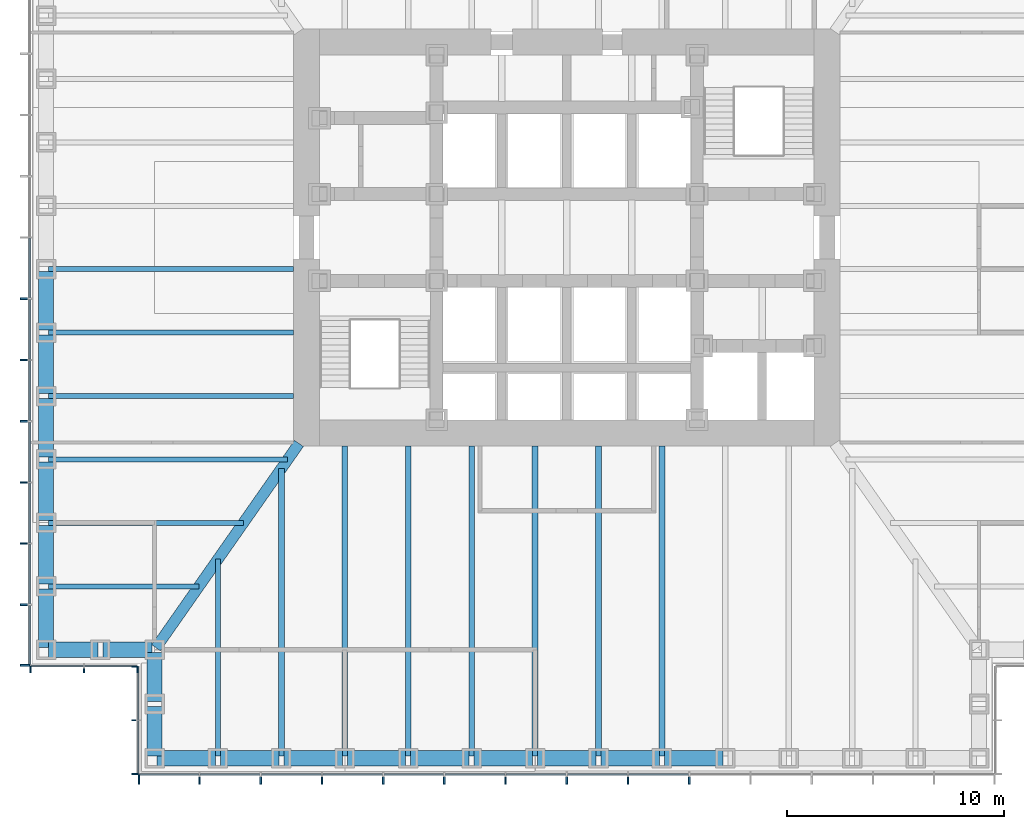
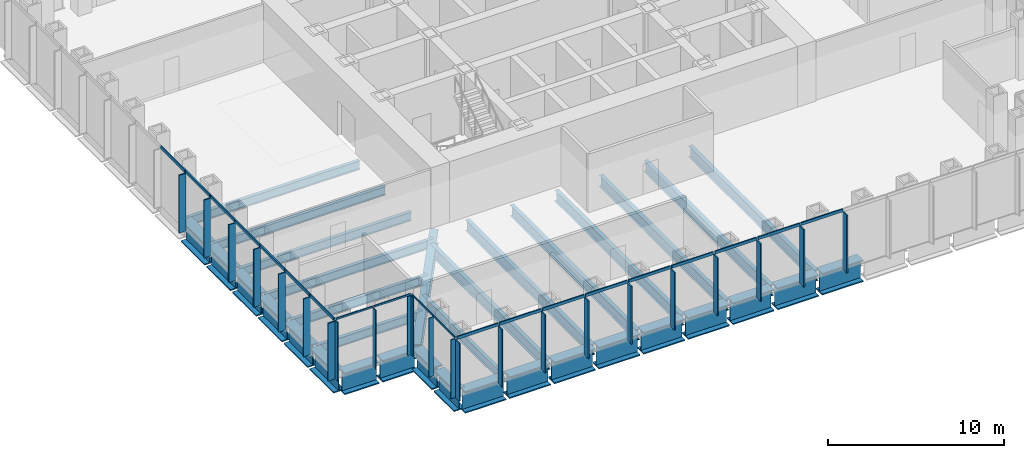
# One storey, part 2 of 17: 43 members, 34 beams, 4 elements without a shape of their own.
"""IFC4 building model written with IfcOpenShell, lengths in metres."""

from ifc_helpers import new_model, si_unit, direction, frame, origin, origin_2d, place, context, subcontext, project, spatial, rectangle, i_section, extrude, material, material_profile, profile_set, type_object, element, aggregate, save


model = new_model("IFC4")

# Units and contexts
model_context = context("Model", 3, precision=1e-05, world=origin(), true_north=direction((0.0, 1.0)))
body_context = subcontext(model_context, "Body", "Model", "MODEL_VIEW")
ifc_project = project(units=[si_unit("LENGTHUNIT", "METRE"), si_unit("AREAUNIT", "SQUARE_METRE"), si_unit("VOLUMEUNIT", "CUBIC_METRE"), si_unit("PLANEANGLEUNIT", "RADIAN"), si_unit("MASSUNIT", "GRAM", prefix="KILO")], contexts=[model_context])

# Site, building, storey
site_placement = place(None, origin())
site = spatial("IfcSite", under=ifc_project, at=site_placement, CompositionType="ELEMENT")
building_placement = place(site_placement, origin())
building = spatial("IfcBuilding", under=site, at=building_placement, Name="Daluyong Arena Tower", CompositionType="ELEMENT")
storey_placement = place(building_placement, frame((0.0, 0.0, 60.10009765625)))
storey = spatial("IfcBuildingStorey", under=building, at=storey_placement, Name="L12", CompositionType="ELEMENT", Elevation=60.10009765625)

# Curtain wall, members
ifc_material_1 = material(Name="Bronze anodised aluminium and glass", Category="aluminium")
curtain_wall_type_1 = type_object("IfcCurtainWallType", Name="Curtain wall CW1", PredefinedType="USERDEFINED", material=ifc_material_1)
curtain_wall_1_placement = place(storey_placement, origin())
curtain_wall_1 = element("IfcCurtainWall", 1, at=curtain_wall_1_placement, inside=storey, type_object=curtain_wall_type_1, Name="curtain wall L12 S", ObjectType="UNITISED CURTAIN WALL", PredefinedType="USERDEFINED")
ifc_material_2 = material(Name="Bronze anodised aluminium fin", Category="aluminium")
ifc_material_profile_1 = material_profile(ifc_material_2, rectangle(XDim=0.449951171875, YDim=0.080078125, at=origin_2d()))
ifc_profile_set_1 = profile_set([ifc_material_profile_1], Name="Bronze anodised aluminium fin")
member_type_1 = type_object("IfcMemberType", Name="CW1 bronze fin 450x80", PredefinedType="MULLION", material=ifc_profile_set_1)
member_1_placement = place(storey_placement, frame((36.2900390625, 55.02490234375, 0.0), z_axis=(0.0, 0.0, 1.0), x_axis=(0.0, 1.0, 0.0)))
member_1 = element("IfcMember", 2, at=member_1_placement, type_object=member_type_1, Name="curtain wall L12 S fin 1", PredefinedType="MULLION", context=body_context, shape_type="SweptSolid", body=[
    extrude(rectangle(XDim=0.449951171875, YDim=0.080078125, at=origin_2d()), origin(), (0.0, 0.0, 1.0), 4.0),
])
member_2_placement = place(storey_placement, frame((39.071533203125, 55.02490234375, 0.0), z_axis=(0.0, 0.0, 1.0), x_axis=(0.0, 1.0, 0.0)))
member_2 = element("IfcMember", 3, at=member_2_placement, type_object=member_type_1, Name="curtain wall L12 S fin 2", PredefinedType="MULLION", context=body_context, shape_type="SweptSolid", body=[
    extrude(rectangle(XDim=0.449951171875, YDim=0.080078125, at=origin_2d()), origin(), (0.0, 0.0, 1.0), 4.0),
])
member_3_placement = place(storey_placement, frame((41.892822265625, 55.02490234375, 0.0), z_axis=(0.0, 0.0, 1.0), x_axis=(0.0, 1.0, 0.0)))
member_3 = element("IfcMember", 4, at=member_3_placement, type_object=member_type_1, Name="curtain wall L12 S fin 3", PredefinedType="MULLION", context=body_context, shape_type="SweptSolid", body=[
    extrude(rectangle(XDim=0.449951171875, YDim=0.080078125, at=origin_2d()), origin(), (0.0, 0.0, 1.0), 4.0),
])
member_4_placement = place(storey_placement, frame((44.71435546875, 55.02490234375, 0.0), z_axis=(0.0, 0.0, 1.0), x_axis=(0.0, 1.0, 0.0)))
member_4 = element("IfcMember", 5, at=member_4_placement, type_object=member_type_1, Name="curtain wall L12 S fin 4", PredefinedType="MULLION", context=body_context, shape_type="SweptSolid", body=[
    extrude(rectangle(XDim=0.449951171875, YDim=0.080078125, at=origin_2d()), origin(), (0.0, 0.0, 1.0), 4.0),
])
member_5_placement = place(storey_placement, frame((47.53564453125, 55.02490234375, 0.0), z_axis=(0.0, 0.0, 1.0), x_axis=(0.0, 1.0, 0.0)))
member_5 = element("IfcMember", 6, at=member_5_placement, type_object=member_type_1, Name="curtain wall L12 S fin 5", PredefinedType="MULLION", context=body_context, shape_type="SweptSolid", body=[
    extrude(rectangle(XDim=0.449951171875, YDim=0.080078125, at=origin_2d()), origin(), (0.0, 0.0, 1.0), 4.0),
])
member_6_placement = place(storey_placement, frame((50.357177734375, 55.02490234375, 0.0), z_axis=(0.0, 0.0, 1.0), x_axis=(0.0, 1.0, 0.0)))
member_6 = element("IfcMember", 7, at=member_6_placement, type_object=member_type_1, Name="curtain wall L12 S fin 6", PredefinedType="MULLION", context=body_context, shape_type="SweptSolid", body=[
    extrude(rectangle(XDim=0.449951171875, YDim=0.080078125, at=origin_2d()), origin(), (0.0, 0.0, 1.0), 4.0),
])
member_7_placement = place(storey_placement, frame((53.178466796875, 55.02490234375, 0.0), z_axis=(0.0, 0.0, 1.0), x_axis=(0.0, 1.0, 0.0)))
member_7 = element("IfcMember", 8, at=member_7_placement, type_object=member_type_1, Name="curtain wall L12 S fin 7", PredefinedType="MULLION", context=body_context, shape_type="SweptSolid", body=[
    extrude(rectangle(XDim=0.449951171875, YDim=0.080078125, at=origin_2d()), origin(), (0.0, 0.0, 1.0), 4.0),
])
member_8_placement = place(storey_placement, frame((56.0, 55.02490234375, 0.0), z_axis=(0.0, 0.0, 1.0), x_axis=(0.0, 1.0, 0.0)))
member_8 = element("IfcMember", 9, at=member_8_placement, type_object=member_type_1, Name="curtain wall L12 S fin 8", PredefinedType="MULLION", context=body_context, shape_type="SweptSolid", body=[
    extrude(rectangle(XDim=0.449951171875, YDim=0.080078125, at=origin_2d()), origin(), (0.0, 0.0, 1.0), 4.0),
])
member_9_placement = place(storey_placement, frame((58.821533203125, 55.02490234375, 0.0), z_axis=(0.0, 0.0, 1.0), x_axis=(0.0, 1.0, 0.0)))
member_9 = element("IfcMember", 10, at=member_9_placement, type_object=member_type_1, Name="curtain wall L12 S fin 9", PredefinedType="MULLION", context=body_context, shape_type="SweptSolid", body=[
    extrude(rectangle(XDim=0.449951171875, YDim=0.080078125, at=origin_2d()), origin(), (0.0, 0.0, 1.0), 4.0),
])
member_10_placement = place(storey_placement, frame((61.642822265625, 55.02490234375, 0.0), z_axis=(0.0, 0.0, 1.0), x_axis=(0.0, 1.0, 0.0)))
member_10 = element("IfcMember", 11, at=member_10_placement, type_object=member_type_1, Name="curtain wall L12 S fin 10", PredefinedType="MULLION", context=body_context, shape_type="SweptSolid", body=[
    extrude(rectangle(XDim=0.449951171875, YDim=0.080078125, at=origin_2d()), origin(), (0.0, 0.0, 1.0), 4.0),
])

curtain_wall_2_placement = place(storey_placement, origin())
curtain_wall_2 = element("IfcCurtainWall", 12, at=curtain_wall_2_placement, inside=storey, type_object=curtain_wall_type_1, Name="curtain wall L12 W", ObjectType="UNITISED CURTAIN WALL", PredefinedType="USERDEFINED")
member_11_placement = place(storey_placement, frame((31.02490234375, 77.178466796875, 0.0), z_axis=(0.0, 0.0, 1.0), x_axis=(1.0, 0.0, 0.0)))
member_11 = element("IfcMember", 13, at=member_11_placement, type_object=member_type_1, Name="curtain wall L12 W fin 9", PredefinedType="MULLION", context=body_context, shape_type="SweptSolid", body=[
    extrude(rectangle(XDim=0.449951171875, YDim=0.080078125, at=origin_2d()), origin(), (0.0, 0.0, 1.0), 4.0),
])
member_12_placement = place(storey_placement, frame((31.02490234375, 74.357177734375, 0.0), z_axis=(0.0, 0.0, 1.0), x_axis=(1.0, 0.0, 0.0)))
member_12 = element("IfcMember", 14, at=member_12_placement, type_object=member_type_1, Name="curtain wall L12 W fin 10", PredefinedType="MULLION", context=body_context, shape_type="SweptSolid", body=[
    extrude(rectangle(XDim=0.449951171875, YDim=0.080078125, at=origin_2d()), origin(), (0.0, 0.0, 1.0), 4.0),
])
member_13_placement = place(storey_placement, frame((31.02490234375, 71.53564453125, 0.0), z_axis=(0.0, 0.0, 1.0), x_axis=(1.0, 0.0, 0.0)))
member_13 = element("IfcMember", 15, at=member_13_placement, type_object=member_type_1, Name="curtain wall L12 W fin 11", PredefinedType="MULLION", context=body_context, shape_type="SweptSolid", body=[
    extrude(rectangle(XDim=0.449951171875, YDim=0.080078125, at=origin_2d()), origin(), (0.0, 0.0, 1.0), 4.0),
])
member_14_placement = place(storey_placement, frame((31.02490234375, 68.71435546875, 0.0), z_axis=(0.0, 0.0, 1.0), x_axis=(1.0, 0.0, 0.0)))
member_14 = element("IfcMember", 16, at=member_14_placement, type_object=member_type_1, Name="curtain wall L12 W fin 12", PredefinedType="MULLION", context=body_context, shape_type="SweptSolid", body=[
    extrude(rectangle(XDim=0.449951171875, YDim=0.080078125, at=origin_2d()), origin(), (0.0, 0.0, 1.0), 4.0),
])
member_15_placement = place(storey_placement, frame((31.02490234375, 65.892822265625, 0.0), z_axis=(0.0, 0.0, 1.0), x_axis=(1.0, 0.0, 0.0)))
member_15 = element("IfcMember", 17, at=member_15_placement, type_object=member_type_1, Name="curtain wall L12 W fin 13", PredefinedType="MULLION", context=body_context, shape_type="SweptSolid", body=[
    extrude(rectangle(XDim=0.449951171875, YDim=0.080078125, at=origin_2d()), origin(), (0.0, 0.0, 1.0), 4.0),
])
member_16_placement = place(storey_placement, frame((31.02490234375, 63.071533203125, 0.0), z_axis=(0.0, 0.0, 1.0), x_axis=(1.0, 0.0, 0.0)))
member_16 = element("IfcMember", 18, at=member_16_placement, type_object=member_type_1, Name="curtain wall L12 W fin 14", PredefinedType="MULLION", context=body_context, shape_type="SweptSolid", body=[
    extrude(rectangle(XDim=0.449951171875, YDim=0.080078125, at=origin_2d()), origin(), (0.0, 0.0, 1.0), 4.0),
])
member_17_placement = place(storey_placement, frame((31.02490234375, 60.2900390625, 0.0), z_axis=(0.0, 0.0, 1.0), x_axis=(1.0, 0.0, 0.0)))
member_17 = element("IfcMember", 19, at=member_17_placement, type_object=member_type_1, Name="curtain wall L12 W fin 15", PredefinedType="MULLION", context=body_context, shape_type="SweptSolid", body=[
    extrude(rectangle(XDim=0.449951171875, YDim=0.080078125, at=origin_2d()), origin(), (0.0, 0.0, 1.0), 4.0),
])

# Member
ifc_material_3 = material(Name="Bronze anodised aluminium", Category="aluminium")
ifc_material_profile_2 = material_profile(ifc_material_3, rectangle(XDim=0.080078125, YDim=0.199951171875, at=origin_2d()))
ifc_profile_set_2 = profile_set([ifc_material_profile_2], Name="Bronze anodised aluminium")
member_type_2 = type_object("IfcMemberType", Name="CW1 stack transom 200x80", PredefinedType="USERDEFINED", material=ifc_profile_set_2)
member_18_placement = place(storey_placement, frame((36.330078125, 55.25, 4.099853515625), z_axis=(1.0, 0.0, 0.0), x_axis=(0.0, 1.0, 0.0)))
member_18 = element("IfcMember", 20, at=member_18_placement, type_object=member_type_2, Name="curtain wall L12 S transom 1", ObjectType="TRANSOM", PredefinedType="USERDEFINED", context=body_context, shape_type="SweptSolid", body=[
    extrude(rectangle(XDim=0.080078125, YDim=0.199951171875, at=origin_2d()), origin(), (0.0, 0.0, 1.0), 2.701416015625),
])

member_19_placement = place(storey_placement, frame((39.111328125, 55.25, 4.099853515625), z_axis=(1.0, 0.0, 0.0), x_axis=(0.0, 1.0, 0.0)))
member_19 = element("IfcMember", 21, at=member_19_placement, type_object=member_type_2, Name="curtain wall L12 S transom 2", ObjectType="TRANSOM", PredefinedType="USERDEFINED", context=body_context, shape_type="SweptSolid", body=[
    extrude(rectangle(XDim=0.080078125, YDim=0.199951171875, at=origin_2d()), origin(), (0.0, 0.0, 1.0), 2.741455078125),
])

member_20_placement = place(storey_placement, frame((41.932861328125, 55.25, 4.099853515625), z_axis=(1.0, 0.0, 0.0), x_axis=(0.0, 1.0, 0.0)))
member_20 = element("IfcMember", 22, at=member_20_placement, type_object=member_type_2, Name="curtain wall L12 S transom 3", ObjectType="TRANSOM", PredefinedType="USERDEFINED", context=body_context, shape_type="SweptSolid", body=[
    extrude(rectangle(XDim=0.080078125, YDim=0.199951171875, at=origin_2d()), origin(), (0.0, 0.0, 1.0), 2.741455078125),
])

member_21_placement = place(storey_placement, frame((44.75439453125, 55.25, 4.099853515625), z_axis=(1.0, 0.0, 0.0), x_axis=(0.0, 1.0, 0.0)))
member_21 = element("IfcMember", 23, at=member_21_placement, type_object=member_type_2, Name="curtain wall L12 S transom 4", ObjectType="TRANSOM", PredefinedType="USERDEFINED", context=body_context, shape_type="SweptSolid", body=[
    extrude(rectangle(XDim=0.080078125, YDim=0.199951171875, at=origin_2d()), origin(), (0.0, 0.0, 1.0), 2.7412109375),
])

member_22_placement = place(storey_placement, frame((47.57568359375, 55.25, 4.099853515625), z_axis=(1.0, 0.0, 0.0), x_axis=(0.0, 1.0, 0.0)))
member_22 = element("IfcMember", 24, at=member_22_placement, type_object=member_type_2, Name="curtain wall L12 S transom 5", ObjectType="TRANSOM", PredefinedType="USERDEFINED", context=body_context, shape_type="SweptSolid", body=[
    extrude(rectangle(XDim=0.080078125, YDim=0.199951171875, at=origin_2d()), origin(), (0.0, 0.0, 1.0), 2.741455078125),
])

member_23_placement = place(storey_placement, frame((50.397216796875, 55.25, 4.099853515625), z_axis=(1.0, 0.0, 0.0), x_axis=(0.0, 1.0, 0.0)))
member_23 = element("IfcMember", 25, at=member_23_placement, type_object=member_type_2, Name="curtain wall L12 S transom 6", ObjectType="TRANSOM", PredefinedType="USERDEFINED", context=body_context, shape_type="SweptSolid", body=[
    extrude(rectangle(XDim=0.080078125, YDim=0.199951171875, at=origin_2d()), origin(), (0.0, 0.0, 1.0), 2.741455078125),
])

member_24_placement = place(storey_placement, frame((53.218505859375, 55.25, 4.099853515625), z_axis=(1.0, 0.0, 0.0), x_axis=(0.0, 1.0, 0.0)))
member_24 = element("IfcMember", 26, at=member_24_placement, type_object=member_type_2, Name="curtain wall L12 S transom 7", ObjectType="TRANSOM", PredefinedType="USERDEFINED", context=body_context, shape_type="SweptSolid", body=[
    extrude(rectangle(XDim=0.080078125, YDim=0.199951171875, at=origin_2d()), origin(), (0.0, 0.0, 1.0), 2.741455078125),
])

member_25_placement = place(storey_placement, frame((56.0400390625, 55.25, 4.099853515625), z_axis=(1.0, 0.0, 0.0), x_axis=(0.0, 1.0, 0.0)))
member_25 = element("IfcMember", 27, at=member_25_placement, type_object=member_type_2, Name="curtain wall L12 S transom 8", ObjectType="TRANSOM", PredefinedType="USERDEFINED", context=body_context, shape_type="SweptSolid", body=[
    extrude(rectangle(XDim=0.080078125, YDim=0.199951171875, at=origin_2d()), origin(), (0.0, 0.0, 1.0), 2.741455078125),
])

member_26_placement = place(storey_placement, frame((58.861328125, 55.25, 4.099853515625), z_axis=(1.0, 0.0, 0.0), x_axis=(0.0, 1.0, 0.0)))
member_26 = element("IfcMember", 28, at=member_26_placement, type_object=member_type_2, Name="curtain wall L12 S transom 9", ObjectType="TRANSOM", PredefinedType="USERDEFINED", context=body_context, shape_type="SweptSolid", body=[
    extrude(rectangle(XDim=0.080078125, YDim=0.199951171875, at=origin_2d()), origin(), (0.0, 0.0, 1.0), 2.741455078125),
])

aggregate(curtain_wall_1, [member_1, member_2, member_3, member_4, member_5, member_6, member_7, member_8, member_9, member_10, member_18, member_19, member_20, member_21, member_22, member_23, member_24, member_25, member_26])

member_27_placement = place(storey_placement, frame((31.25, 79.9599609375, 4.099853515625), z_axis=(0.0, -1.0, 0.0), x_axis=(1.0, 0.0, 0.0)))
member_27 = element("IfcMember", 29, at=member_27_placement, type_object=member_type_2, Name="curtain wall L12 W transom 8", ObjectType="TRANSOM", PredefinedType="USERDEFINED", context=body_context, shape_type="SweptSolid", body=[
    extrude(rectangle(XDim=0.080078125, YDim=0.199951171875, at=origin_2d()), origin(), (0.0, 0.0, 1.0), 2.741455078125),
])

member_28_placement = place(storey_placement, frame((31.25, 77.138671875, 4.099853515625), z_axis=(0.0, -1.0, 0.0), x_axis=(1.0, 0.0, 0.0)))
member_28 = element("IfcMember", 30, at=member_28_placement, type_object=member_type_2, Name="curtain wall L12 W transom 9", ObjectType="TRANSOM", PredefinedType="USERDEFINED", context=body_context, shape_type="SweptSolid", body=[
    extrude(rectangle(XDim=0.080078125, YDim=0.199951171875, at=origin_2d()), origin(), (0.0, 0.0, 1.0), 2.741455078125),
])

member_29_placement = place(storey_placement, frame((31.25, 74.317138671875, 4.099853515625), z_axis=(0.0, -1.0, 0.0), x_axis=(1.0, 0.0, 0.0)))
member_29 = element("IfcMember", 31, at=member_29_placement, type_object=member_type_2, Name="curtain wall L12 W transom 10", ObjectType="TRANSOM", PredefinedType="USERDEFINED", context=body_context, shape_type="SweptSolid", body=[
    extrude(rectangle(XDim=0.080078125, YDim=0.199951171875, at=origin_2d()), origin(), (0.0, 0.0, 1.0), 2.741455078125),
])

member_30_placement = place(storey_placement, frame((31.25, 71.49560546875, 4.099853515625), z_axis=(0.0, -1.0, 0.0), x_axis=(1.0, 0.0, 0.0)))
member_30 = element("IfcMember", 32, at=member_30_placement, type_object=member_type_2, Name="curtain wall L12 W transom 11", ObjectType="TRANSOM", PredefinedType="USERDEFINED", context=body_context, shape_type="SweptSolid", body=[
    extrude(rectangle(XDim=0.080078125, YDim=0.199951171875, at=origin_2d()), origin(), (0.0, 0.0, 1.0), 2.7412109375),
])

member_31_placement = place(storey_placement, frame((31.25, 68.67431640625, 4.099853515625), z_axis=(0.0, -1.0, 0.0), x_axis=(1.0, 0.0, 0.0)))
member_31 = element("IfcMember", 33, at=member_31_placement, type_object=member_type_2, Name="curtain wall L12 W transom 12", ObjectType="TRANSOM", PredefinedType="USERDEFINED", context=body_context, shape_type="SweptSolid", body=[
    extrude(rectangle(XDim=0.080078125, YDim=0.199951171875, at=origin_2d()), origin(), (0.0, 0.0, 1.0), 2.741455078125),
])

member_32_placement = place(storey_placement, frame((31.25, 65.852783203125, 4.099853515625), z_axis=(0.0, -1.0, 0.0), x_axis=(1.0, 0.0, 0.0)))
member_32 = element("IfcMember", 34, at=member_32_placement, type_object=member_type_2, Name="curtain wall L12 W transom 13", ObjectType="TRANSOM", PredefinedType="USERDEFINED", context=body_context, shape_type="SweptSolid", body=[
    extrude(rectangle(XDim=0.080078125, YDim=0.199951171875, at=origin_2d()), origin(), (0.0, 0.0, 1.0), 2.741455078125),
])

member_33_placement = place(storey_placement, frame((31.25, 63.031494140625, 4.099853515625), z_axis=(0.0, -1.0, 0.0), x_axis=(1.0, 0.0, 0.0)))
member_33 = element("IfcMember", 35, at=member_33_placement, type_object=member_type_2, Name="curtain wall L12 W transom 14", ObjectType="TRANSOM", PredefinedType="USERDEFINED", context=body_context, shape_type="SweptSolid", body=[
    extrude(rectangle(XDim=0.080078125, YDim=0.199951171875, at=origin_2d()), origin(), (0.0, 0.0, 1.0), 2.701416015625),
])

aggregate(curtain_wall_2, [member_11, member_12, member_13, member_14, member_15, member_16, member_17, member_27, member_28, member_29, member_30, member_31, member_32, member_33])

# Curtain wall, members
ifc_material_4 = material(Name="Bronze anodised aluminium and glass", Category="aluminium")
curtain_wall_type_2 = type_object("IfcCurtainWallType", Name="Curtain wall CW7", PredefinedType="USERDEFINED", material=ifc_material_4)
curtain_wall_3_placement = place(storey_placement, origin())
curtain_wall_3 = element("IfcCurtainWall", 36, at=curtain_wall_3_placement, inside=storey, type_object=curtain_wall_type_2, Name="curtain wall L12 SW-S", ObjectType="UNITISED CURTAIN WALL", PredefinedType="USERDEFINED")
ifc_material_5 = material(Name="Bronze anodised aluminium fin", Category="aluminium")
ifc_material_profile_3 = material_profile(ifc_material_5, rectangle(XDim=0.300048828125, YDim=0.06005859375, at=origin_2d()))
ifc_profile_set_3 = profile_set([ifc_material_profile_3], Name="Bronze anodised aluminium fin")
member_type_3 = type_object("IfcMemberType", Name="CW7 bronze fin 300x60", PredefinedType="MULLION", material=ifc_profile_set_3)
member_34_placement = place(storey_placement, frame((31.280029296875, 60.10009765625, 0.0), z_axis=(0.0, 0.0, 1.0), x_axis=(0.0, 1.0, 0.0)))
member_34 = element("IfcMember", 37, at=member_34_placement, type_object=member_type_3, Name="curtain wall L12 SW-S fin 1", PredefinedType="MULLION", context=body_context, shape_type="SweptSolid", body=[
    extrude(rectangle(XDim=0.300048828125, YDim=0.06005859375, at=origin_2d()), origin(), (0.0, 0.0, 1.0), 4.079833984375),
])
member_35_placement = place(storey_placement, frame((33.75, 60.10009765625, 0.0), z_axis=(0.0, 0.0, 1.0), x_axis=(0.0, 1.0, 0.0)))
member_35 = element("IfcMember", 38, at=member_35_placement, type_object=member_type_3, Name="curtain wall L12 SW-S fin 2", PredefinedType="MULLION", context=body_context, shape_type="SweptSolid", body=[
    extrude(rectangle(XDim=0.300048828125, YDim=0.06005859375, at=origin_2d()), origin(), (0.0, 0.0, 1.0), 4.079833984375),
])
member_36_placement = place(storey_placement, frame((36.219970703125, 60.10009765625, 0.0), z_axis=(0.0, 0.0, 1.0), x_axis=(0.0, 1.0, 0.0)))
member_36 = element("IfcMember", 39, at=member_36_placement, type_object=member_type_3, Name="curtain wall L12 SW-S fin 3", PredefinedType="MULLION", context=body_context, shape_type="SweptSolid", body=[
    extrude(rectangle(XDim=0.300048828125, YDim=0.06005859375, at=origin_2d()), origin(), (0.0, 0.0, 1.0), 4.079833984375),
])

curtain_wall_4_placement = place(storey_placement, origin())
curtain_wall_4 = element("IfcCurtainWall", 40, at=curtain_wall_4_placement, inside=storey, type_object=curtain_wall_type_2, Name="curtain wall L12 SW-W", ObjectType="UNITISED CURTAIN WALL", PredefinedType="USERDEFINED")
member_37_placement = place(storey_placement, frame((36.10009765625, 60.219970703125, 0.0), z_axis=(0.0, 0.0, 1.0), x_axis=(1.0, 0.0, 0.0)))
member_37 = element("IfcMember", 41, at=member_37_placement, type_object=member_type_3, Name="curtain wall L12 SW-W fin 1", PredefinedType="MULLION", context=body_context, shape_type="SweptSolid", body=[
    extrude(rectangle(XDim=0.300048828125, YDim=0.06005859375, at=origin_2d()), origin(), (0.0, 0.0, 1.0), 4.079833984375),
])
member_38_placement = place(storey_placement, frame((36.10009765625, 57.75, 0.0), z_axis=(0.0, 0.0, 1.0), x_axis=(1.0, 0.0, 0.0)))
member_38 = element("IfcMember", 42, at=member_38_placement, type_object=member_type_3, Name="curtain wall L12 SW-W fin 2", PredefinedType="MULLION", context=body_context, shape_type="SweptSolid", body=[
    extrude(rectangle(XDim=0.300048828125, YDim=0.06005859375, at=origin_2d()), origin(), (0.0, 0.0, 1.0), 4.079833984375),
])
member_39_placement = place(storey_placement, frame((36.10009765625, 55.280029296875, 0.0), z_axis=(0.0, 0.0, 1.0), x_axis=(1.0, 0.0, 0.0)))
member_39 = element("IfcMember", 43, at=member_39_placement, type_object=member_type_3, Name="curtain wall L12 SW-W fin 3", PredefinedType="MULLION", context=body_context, shape_type="SweptSolid", body=[
    extrude(rectangle(XDim=0.300048828125, YDim=0.06005859375, at=origin_2d()), origin(), (0.0, 0.0, 1.0), 4.079833984375),
])

# Member
ifc_material_6 = material(Name="Bronze anodised aluminium", Category="aluminium")
ifc_material_profile_4 = material_profile(ifc_material_6, rectangle(XDim=0.06005859375, YDim=0.1201171875, at=origin_2d()))
ifc_profile_set_4 = profile_set([ifc_material_profile_4], Name="Bronze anodised aluminium")
member_type_4 = type_object("IfcMemberType", Name="CW7 stack transom 120x60", PredefinedType="USERDEFINED", material=ifc_profile_set_4)
member_40_placement = place(storey_placement, frame((31.31005859375, 60.25, 4.139892578125), z_axis=(1.0, 0.0, 0.0), x_axis=(0.0, 1.0, 0.0)))
member_40 = element("IfcMember", 44, at=member_40_placement, type_object=member_type_4, Name="curtain wall L12 SW-S transom 1", ObjectType="TRANSOM", PredefinedType="USERDEFINED", context=body_context, shape_type="SweptSolid", body=[
    extrude(rectangle(XDim=0.06005859375, YDim=0.1201171875, at=origin_2d()), origin(), (0.0, 0.0, 1.0), 2.409912109375),
])

member_41_placement = place(storey_placement, frame((33.780029296875, 60.25, 4.139892578125), z_axis=(1.0, 0.0, 0.0), x_axis=(0.0, 1.0, 0.0)))
member_41 = element("IfcMember", 45, at=member_41_placement, type_object=member_type_4, Name="curtain wall L12 SW-S transom 2", ObjectType="TRANSOM", PredefinedType="USERDEFINED", context=body_context, shape_type="SweptSolid", body=[
    extrude(rectangle(XDim=0.06005859375, YDim=0.1201171875, at=origin_2d()), origin(), (0.0, 0.0, 1.0), 2.409912109375),
])

aggregate(curtain_wall_3, [member_34, member_35, member_36, member_40, member_41])

member_42_placement = place(storey_placement, frame((36.25, 60.18994140625, 4.139892578125), z_axis=(0.0, -1.0, 0.0), x_axis=(1.0, 0.0, 0.0)))
member_42 = element("IfcMember", 46, at=member_42_placement, type_object=member_type_4, Name="curtain wall L12 SW-W transom 1", ObjectType="TRANSOM", PredefinedType="USERDEFINED", context=body_context, shape_type="SweptSolid", body=[
    extrude(rectangle(XDim=0.06005859375, YDim=0.1201171875, at=origin_2d()), origin(), (0.0, 0.0, 1.0), 2.409912109375),
])

member_43_placement = place(storey_placement, frame((36.25, 57.719970703125, 4.139892578125), z_axis=(0.0, -1.0, 0.0), x_axis=(1.0, 0.0, 0.0)))
member_43 = element("IfcMember", 47, at=member_43_placement, type_object=member_type_4, Name="curtain wall L12 SW-W transom 2", ObjectType="TRANSOM", PredefinedType="USERDEFINED", context=body_context, shape_type="SweptSolid", body=[
    extrude(rectangle(XDim=0.06005859375, YDim=0.1201171875, at=origin_2d()), origin(), (0.0, 0.0, 1.0), 2.409912109375),
])

aggregate(curtain_wall_4, [member_37, member_38, member_39, member_42, member_43])

# Beams
ifc_material_7 = material(Name="Steel ASTM A572 Grade 50", Category="steel")
ifc_material_profile_5 = material_profile(ifc_material_7, i_section(OverallWidth=0.5, OverallDepth=1.0, WebThickness=0.03, FlangeThickness=0.06, at=origin_2d()))
ifc_profile_set_5 = profile_set([ifc_material_profile_5], Name="Steel ASTM A572 Grade 50")
beam_type_1 = type_object("IfcBeamType", Name="Corner girder TB1000X500", PredefinedType="BEAM", material=ifc_profile_set_5)
beam_1_placement = place(storey_placement, frame((37.06591796875, 61.09423828125, -0.66015625), z_axis=(0.573466621875, 0.819228926244, 0.0), x_axis=(-0.819228926244, 0.573466621875, 0.0)))
element("IfcBeam", 48, at=beam_1_placement, inside=storey, type_object=beam_type_1, Name="corner girder DG2", PredefinedType="BEAM", context=body_context, shape_type="SweptSolid", body=[
    extrude(i_section(OverallWidth=0.5, OverallDepth=1.0, WebThickness=0.03, FlangeThickness=0.06, at=origin_2d()), origin(), (0.0, 0.0, 1.0), 11.49169921875),
])
ifc_material_8 = material(Name="Steel ASTM A992 Grade 50", Category="steel")
ifc_material_profile_6 = material_profile(ifc_material_8, i_section(OverallWidth=0.22900390625, OverallDepth=0.612060546875, WebThickness=0.011962890625, FlangeThickness=0.01953125, at=origin_2d()))
ifc_profile_set_6 = profile_set([ifc_material_profile_6], Name="Steel ASTM A992 Grade 50")
beam_type_2 = type_object("IfcBeamType", Name="Floor beam W24X84", PredefinedType="BEAM", material=ifc_profile_set_6)
beam_2_placement = place(storey_placement, frame((39.923095703125, 56.114990234375, -0.466064453125), z_axis=(0.0, 1.0, 0.0), x_axis=(-1.0, 0.0, 0.0)))
element("IfcBeam", 49, at=beam_2_placement, inside=storey, type_object=beam_type_2, Name="floor beam FB3", PredefinedType="BEAM", context=body_context, shape_type="SweptSolid", body=[
    extrude(i_section(OverallWidth=0.22900390625, OverallDepth=0.612060546875, WebThickness=0.011962890625, FlangeThickness=0.01953125, at=origin_2d()), origin(), (0.0, 0.0, 1.0), 9.060791015625),
])
for number, where, z_axis, x_axis, name in (
    (50, (32.114990234375, 78.53857421875, -0.466064453125), (1.0, 0.0, 0.0), (0.0, 1.0, 0.0), "floor beam FB3"),
    (51, (32.114990234375, 75.615478515625, -0.466064453125), (1.0, 0.0, 0.0), (0.0, 1.0, 0.0), "floor beam FB3"),
    (52, (32.114990234375, 72.6923828125, -0.466064453125), (1.0, 0.0, 0.0), (0.0, 1.0, 0.0), "floor beam FB3"),
):
    element("IfcBeam", number, at=place(storey_placement, frame(where, z_axis=z_axis, x_axis=x_axis)), inside=storey, type_object=beam_type_2, Name=name, PredefinedType="BEAM", context=body_context, shape_type="SweptSolid", body=[
        extrude(i_section(OverallWidth=0.22900390625, OverallDepth=0.612060546875, WebThickness=0.011962890625, FlangeThickness=0.01953125, at=origin_2d()), origin(), (0.0, 0.0, 1.0), 11.284912109375),
    ])
beam_3_placement = place(storey_placement, frame((32.114990234375, 69.769287109375, -0.466064453125), z_axis=(1.0, 0.0, 0.0), x_axis=(0.0, 1.0, 0.0)))
element("IfcBeam", 53, at=beam_3_placement, inside=storey, type_object=beam_type_2, Name="floor beam FB3", PredefinedType="BEAM", context=body_context, shape_type="SweptSolid", body=[
    extrude(i_section(OverallWidth=0.22900390625, OverallDepth=0.612060546875, WebThickness=0.011962890625, FlangeThickness=0.01953125, at=origin_2d()), origin(), (0.0, 0.0, 1.0), 11.0234375),
])
beam_4_placement = place(storey_placement, frame((32.114990234375, 66.84619140625, -0.466064453125), z_axis=(1.0, 0.0, 0.0), x_axis=(0.0, 1.0, 0.0)))
element("IfcBeam", 54, at=beam_4_placement, inside=storey, type_object=beam_type_2, Name="floor beam FB3", PredefinedType="BEAM", context=body_context, shape_type="SweptSolid", body=[
    extrude(i_section(OverallWidth=0.22900390625, OverallDepth=0.612060546875, WebThickness=0.011962890625, FlangeThickness=0.01953125, at=origin_2d()), origin(), (0.0, 0.0, 1.0), 8.977294921875),
])
beam_5_placement = place(storey_placement, frame((32.114990234375, 63.923095703125, -0.466064453125), z_axis=(1.0, 0.0, 0.0), x_axis=(0.0, 1.0, 0.0)))
element("IfcBeam", 55, at=beam_5_placement, inside=storey, type_object=beam_type_2, Name="floor beam FB3", PredefinedType="BEAM", context=body_context, shape_type="SweptSolid", body=[
    extrude(i_section(OverallWidth=0.22900390625, OverallDepth=0.612060546875, WebThickness=0.011962890625, FlangeThickness=0.01953125, at=origin_2d()), origin(), (0.0, 0.0, 1.0), 6.93115234375),
])
ifc_material_9 = material(Name="Steel ASTM A992 Grade 50", Category="steel")
ifc_material_profile_7 = material_profile(ifc_material_9, i_section(OverallWidth=0.2666015625, OverallDepth=0.761962890625, WebThickness=0.014404296875, FlangeThickness=0.021484375, at=origin_2d()))
ifc_profile_set_7 = profile_set([ifc_material_profile_7], Name="Steel ASTM A992 Grade 50")
beam_type_3 = type_object("IfcBeamType", Name="Floor beam W30X116", PredefinedType="BEAM", material=ifc_profile_set_7)
beam_6_placement = place(storey_placement, frame((42.84619140625, 56.114990234375, -0.541015625), z_axis=(0.0, 1.0, 0.0), x_axis=(-1.0, 0.0, 0.0)))
element("IfcBeam", 56, at=beam_6_placement, inside=storey, type_object=beam_type_3, Name="floor beam FB4", PredefinedType="BEAM", context=body_context, shape_type="SweptSolid", body=[
    extrude(i_section(OverallWidth=0.2666015625, OverallDepth=0.761962890625, WebThickness=0.014404296875, FlangeThickness=0.021484375, at=origin_2d()), origin(), (0.0, 0.0, 1.0), 13.236572265625),
])
for number, where, z_axis, x_axis, name in (
    (57, (45.769287109375, 56.114990234375, -0.541015625), (0.0, 1.0, 0.0), (-1.0, 0.0, 0.0), "floor beam FB4"),
    (58, (48.6923828125, 56.114990234375, -0.541015625), (0.0, 1.0, 0.0), (-1.0, 0.0, 0.0), "floor beam FB4"),
    (59, (51.615478515625, 56.114990234375, -0.541015625), (0.0, 1.0, 0.0), (-1.0, 0.0, 0.0), "floor beam FB4"),
    (60, (54.53857421875, 56.114990234375, -0.541015625), (0.0, 1.0, 0.0), (-1.0, 0.0, 0.0), "floor beam FB4"),
    (61, (57.46142578125, 56.114990234375, -0.541015625), (0.0, 1.0, 0.0), (-1.0, 0.0, 0.0), "floor beam FB4"),
    (62, (60.384521484375, 56.114990234375, -0.541015625), (0.0, 1.0, 0.0), (-1.0, 0.0, 0.0), "floor beam FB4"),
):
    element("IfcBeam", number, at=place(storey_placement, frame(where, z_axis=z_axis, x_axis=x_axis)), inside=storey, type_object=beam_type_3, Name=name, PredefinedType="BEAM", context=body_context, shape_type="SweptSolid", body=[
        extrude(i_section(OverallWidth=0.2666015625, OverallDepth=0.761962890625, WebThickness=0.014404296875, FlangeThickness=0.021484375, at=origin_2d()), origin(), (0.0, 0.0, 1.0), 14.284912109375),
    ])
ifc_material_10 = material(Name="Steel ASTM A572 Grade 50", Category="steel")
ifc_material_profile_8 = material_profile(ifc_material_10, i_section(OverallWidth=0.699951171875, OverallDepth=1.5, WebThickness=0.04, FlangeThickness=0.08, at=origin_2d()))
ifc_profile_set_8 = profile_set([ifc_material_profile_8], Name="Steel ASTM A572 Grade 50")
beam_type_4 = type_object("IfcBeamType", Name="Spandrel Z1 PG1500X700", PredefinedType="SPANDREL", material=ifc_profile_set_8)
for number, where, z_axis, x_axis, name in (
    (63, (37.114990234375, 56.0, -0.91015625), (1.0, 0.0, 0.0), (0.0, 1.0, 0.0), "spandrel z1 SB4"),
    (64, (40.0380859375, 56.0, -0.91015625), (1.0, 0.0, 0.0), (0.0, 1.0, 0.0), "spandrel z1 SB4"),
    (65, (42.961181640625, 56.0, -0.91015625), (1.0, 0.0, 0.0), (0.0, 1.0, 0.0), "spandrel z1 SB4"),
    (66, (45.88427734375, 56.0, -0.91015625), (1.0, 0.0, 0.0), (0.0, 1.0, 0.0), "spandrel z1 SB4"),
    (67, (48.807373046875, 56.0, -0.91015625), (1.0, 0.0, 0.0), (0.0, 1.0, 0.0), "spandrel z1 SB4"),
    (68, (51.73046875, 56.0, -0.91015625), (1.0, 0.0, 0.0), (0.0, 1.0, 0.0), "spandrel z1 SB4"),
):
    element("IfcBeam", number, at=place(storey_placement, frame(where, z_axis=z_axis, x_axis=x_axis)), inside=storey, type_object=beam_type_4, Name=name, PredefinedType="SPANDREL", context=body_context, shape_type="SweptSolid", body=[
        extrude(i_section(OverallWidth=0.699951171875, OverallDepth=1.5, WebThickness=0.04, FlangeThickness=0.08, at=origin_2d()), origin(), (0.0, 0.0, 1.0), 2.693115234375),
    ])
beam_7_placement = place(storey_placement, frame((54.653564453125, 56.0, -0.91015625), z_axis=(1.0, 0.0, 0.0), x_axis=(0.0, 1.0, 0.0)))
element("IfcBeam", 69, at=beam_7_placement, inside=storey, type_object=beam_type_4, Name="spandrel z1 SB4", PredefinedType="SPANDREL", context=body_context, shape_type="SweptSolid", body=[
    extrude(i_section(OverallWidth=0.699951171875, OverallDepth=1.5, WebThickness=0.04, FlangeThickness=0.08, at=origin_2d()), origin(), (0.0, 0.0, 1.0), 2.69287109375),
])
for number, where, z_axis, x_axis, name in (
    (70, (57.576416015625, 56.0, -0.91015625), (1.0, 0.0, 0.0), (0.0, 1.0, 0.0), "spandrel z1 SB4"),
    (71, (60.49951171875, 56.0, -0.91015625), (1.0, 0.0, 0.0), (0.0, 1.0, 0.0), "spandrel z1 SB4"),
    (72, (32.0, 78.423583984375, -0.91015625), (0.0, -1.0, 0.0), (1.0, 0.0, 0.0), "spandrel z1 SB4"),
    (73, (32.0, 75.50048828125, -0.91015625), (0.0, -1.0, 0.0), (1.0, 0.0, 0.0), "spandrel z1 SB4"),
    (74, (32.0, 72.577392578125, -0.91015625), (0.0, -1.0, 0.0), (1.0, 0.0, 0.0), "spandrel z1 SB4"),
    (75, (32.0, 69.654296875, -0.91015625), (0.0, -1.0, 0.0), (1.0, 0.0, 0.0), "spandrel z1 SB4"),
    (76, (32.0, 66.731201171875, -0.91015625), (0.0, -1.0, 0.0), (1.0, 0.0, 0.0), "spandrel z1 SB4"),
    (77, (32.0, 63.80810546875, -0.91015625), (0.0, -1.0, 0.0), (1.0, 0.0, 0.0), "spandrel z1 SB4"),
):
    element("IfcBeam", number, at=place(storey_placement, frame(where, z_axis=z_axis, x_axis=x_axis)), inside=storey, type_object=beam_type_4, Name=name, PredefinedType="SPANDREL", context=body_context, shape_type="SweptSolid", body=[
        extrude(i_section(OverallWidth=0.699951171875, OverallDepth=1.5, WebThickness=0.04, FlangeThickness=0.08, at=origin_2d()), origin(), (0.0, 0.0, 1.0), 2.693115234375),
    ])
for number, where, z_axis, x_axis, name in (
    (78, (32.114990234375, 61.0, -0.91015625), (1.0, 0.0, 0.0), (0.0, 1.0, 0.0), "spandrel z1 SB4"),
    (79, (34.614990234375, 61.0, -0.91015625), (1.0, 0.0, 0.0), (0.0, 1.0, 0.0), "spandrel z1 SB4"),
    (80, (37.0, 60.885009765625, -0.91015625), (0.0, -1.0, 0.0), (1.0, 0.0, 0.0), "spandrel z1 SB4"),
    (81, (37.0, 58.385009765625, -0.91015625), (0.0, -1.0, 0.0), (1.0, 0.0, 0.0), "spandrel z1 SB4"),
):
    element("IfcBeam", number, at=place(storey_placement, frame(where, z_axis=z_axis, x_axis=x_axis)), inside=storey, type_object=beam_type_4, Name=name, PredefinedType="SPANDREL", context=body_context, shape_type="SweptSolid", body=[
        extrude(i_section(OverallWidth=0.699951171875, OverallDepth=1.5, WebThickness=0.04, FlangeThickness=0.08, at=origin_2d()), origin(), (0.0, 0.0, 1.0), 2.27001953125),
    ])

save(model, "model.ifc")
